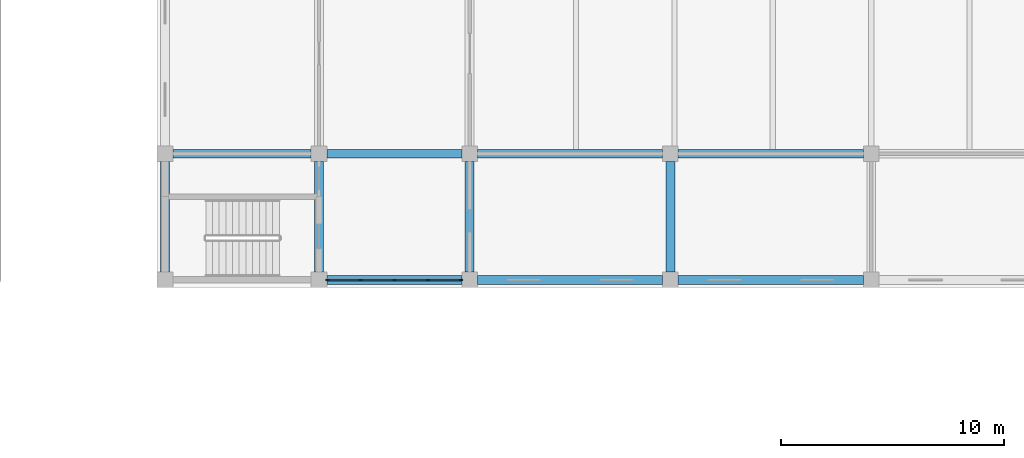
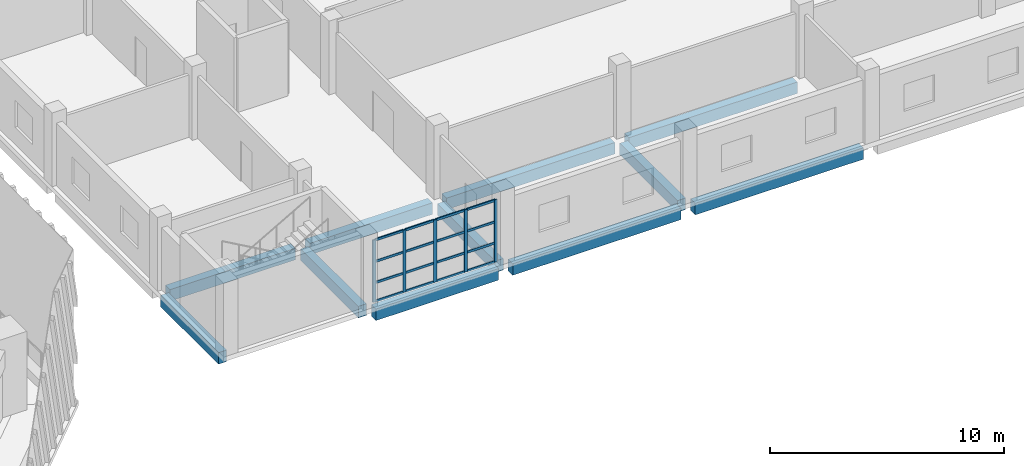
# One storey, part 2 of 31: 21 members, 11 beams, 1 element without a shape of its own.
"""IFC4 building model written with IfcOpenShell, lengths in metres."""

import ifcopenshell
import ifcopenshell.guid

model = None  # the IFC model being written
_history = None  # IfcOwnerHistory: only IFC2X3 demands one
_inside = {}  # id of a spatial element -> (the spatial element, [elements in it])
_under = {}  # id of a project, library or spatial element -> (it, [spatial elements below it])
_declared = {}  # id of a project -> (the project, [libraries it declares])
_typed = {}  # id of a type object -> (the type object, [elements of that type])
_made_of = {}  # id of a material, layer set ... -> (it, [elements and type objects made of it])


def new_model(schema):
    """Start an empty IFC model of exactly this schema.

    Asked for "IFC4X3", IfcOpenShell would pick the latest addendum, in which some entities
    have other attributes; the version numbers below select the first issue.
    IFC2X3 requires an IfcOwnerHistory on every rooted entity: one is made here for all.
    """
    global model, _history
    if schema == "IFC4X3":
        model = ifcopenshell.file(schema_version=(4, 3, 0, 0))
    else:
        model = ifcopenshell.file(schema=schema)
    _inside.clear()
    _under.clear()
    _declared.clear()
    _typed.clear()
    _made_of.clear()
    _history = None
    if model.schema == "IFC2X3":
        org = make("IfcOrganization", Name="unknown")
        user = make(
            "IfcPersonAndOrganization",
            ThePerson=make("IfcPerson", FamilyName="unknown"),
            TheOrganization=org,
        )
        app = make(
            "IfcApplication",
            ApplicationDeveloper=org,
            Version="unknown",
            ApplicationFullName="unknown",
            ApplicationIdentifier="unknown",
        )
        _history = make(
            "IfcOwnerHistory",
            OwningUser=user,
            OwningApplication=app,
            ChangeAction="ADDED",
            CreationDate=0,
        )
    return model


def make(cls, **values):
    """One entity of the class cls with the attributes given. An attribute that is None is left unset."""
    return model.create_entity(
        cls, **{name: value for name, value in values.items() if value is not None}
    )


def rooted(cls, **values):
    """An entity with a GlobalId (a new one), such as an element, a storey or a relation."""
    return make(cls, GlobalId=ifcopenshell.guid.new(), OwnerHistory=_history, **values)


def si_unit(unit_type, name, prefix=None):
    """IfcSIUnit, for example si_unit("LENGTHUNIT", "METRE", prefix="MILLI")."""
    return make("IfcSIUnit", UnitType=unit_type, Prefix=prefix, Name=name)


def assignment(units):
    """IfcUnitAssignment: the units of a project."""
    return None if units is None else make("IfcUnitAssignment", Units=units)


def point(xyz):
    """IfcCartesianPoint."""
    return None if xyz is None else make("IfcCartesianPoint", Coordinates=xyz)


def direction(xyz):
    """IfcDirection."""
    return None if xyz is None else make("IfcDirection", DirectionRatios=xyz)


def frame(location, z_axis=None, x_axis=None):
    """IfcAxis2Placement3D, a coordinate frame: its origin and axes. An axis left out is left unset."""
    return make(
        "IfcAxis2Placement3D",
        Location=point(location),
        Axis=direction(z_axis),
        RefDirection=direction(x_axis),
    )


def frame_2d(location, x_axis=None):
    """IfcAxis2Placement2D, a coordinate frame in the plane: its origin and x axis."""
    return make(
        "IfcAxis2Placement2D", Location=point(location), RefDirection=direction(x_axis)
    )


def origin():
    """The frame at (0, 0, 0) with its axes left unset."""
    return frame((0.0, 0.0, 0.0))


def origin_2d():
    """The frame at (0, 0) in the plane with its x axis left unset."""
    return frame_2d((0.0, 0.0))


def place(relative_to, where):
    """IfcLocalPlacement: puts the frame where relative to a parent placement (None: the world)."""
    return make(
        "IfcLocalPlacement", PlacementRelTo=relative_to, RelativePlacement=where
    )


def context(
    kind, dimensions, precision=None, world=None, true_north=None, identifier=None
):
    """IfcGeometricRepresentationContext, for example the 3D "Model" context."""
    return make(
        "IfcGeometricRepresentationContext",
        ContextIdentifier=identifier,
        ContextType=kind,
        CoordinateSpaceDimension=dimensions,
        Precision=precision,
        WorldCoordinateSystem=world,
        TrueNorth=true_north,
    )


def subcontext(parent, identifier, kind, view, scale=None):
    """IfcGeometricRepresentationSubContext, for example "Body" below "Model"."""
    return make(
        "IfcGeometricRepresentationSubContext",
        ContextIdentifier=identifier,
        ContextType=kind,
        ParentContext=parent,
        TargetScale=scale,
        TargetView=view,
    )


def project(units=None, contexts=None):
    """IfcProject with its units and contexts."""
    return rooted(
        "IfcProject",
        Name="project",
        RepresentationContexts=contexts,
        UnitsInContext=assignment(units),
    )


def spatial(cls, under=None, at=None, **own):
    """A site, building, storey or space (cls), placed at a placement, below another one or the project."""
    s = rooted(cls, ObjectPlacement=at, **own)
    if under is not None:
        _under.setdefault(under.id(), (under, []))[1].append(s)
    return s


def profile(cls, at=None, kind="AREA", **sizes):
    """A parametric profile (cls). Its sizes go by their IFC names, for example OverallWidth=200.0."""
    return make(cls, ProfileType=kind, Position=at, **sizes)


def rectangle(**sizes):
    """IfcRectangleProfileDef."""
    return profile("IfcRectangleProfileDef", **sizes)


def extrude(swept, where, along, depth):
    """IfcExtrudedAreaSolid: the profile swept, set in the frame where, extruded along a direction by depth."""
    return make(
        "IfcExtrudedAreaSolid",
        SweptArea=swept,
        Position=where,
        ExtrudedDirection=direction(along),
        Depth=depth,
    )


def shape(context_of_items, identifier, shape_type, items):
    """IfcShapeRepresentation: the items that make up one representation, for example the "Body"."""
    return make(
        "IfcShapeRepresentation",
        ContextOfItems=context_of_items,
        RepresentationIdentifier=identifier,
        RepresentationType=shape_type,
        Items=items,
    )


def material(Name=None, Category=None):
    """IfcMaterial."""
    return make("IfcMaterial", Name=Name, Category=Category)


def layer(
    of_material, thickness, ventilated=None, Name=None, Category=None, Priority=None
):
    """IfcMaterialLayer: one layer of a wall or slab, of a material (None: an air gap)."""
    return make(
        "IfcMaterialLayer",
        Material=of_material,
        LayerThickness=thickness,
        IsVentilated=ventilated,
        Name=Name,
        Category=Category,
        Priority=Priority,
    )


def layer_set(layers, Name=None):
    """IfcMaterialLayerSet."""
    return make("IfcMaterialLayerSet", MaterialLayers=layers, LayerSetName=Name)


def material_profile(
    of_material, cross_section, Name=None, Category=None, Priority=None
):
    """IfcMaterialProfile: a cross section and its material."""
    return make(
        "IfcMaterialProfile",
        Name=Name,
        Material=of_material,
        Profile=cross_section,
        Priority=Priority,
        Category=Category,
    )


def profile_set(profiles, Name=None, composite=None):
    """IfcMaterialProfileSet."""
    return make(
        "IfcMaterialProfileSet",
        Name=Name,
        MaterialProfiles=profiles,
        CompositeProfile=composite,
    )


def made_of(thing, what):
    """Note that an element or type object is made of a material, layer set ...; save() writes the relation."""
    if what is not None:
        _made_of.setdefault(what.id(), (what, []))[1].append(thing)
    return thing


def type_object(cls, material=None, **own):
    """A type object (cls), such as IfcWallType, which elements share."""
    return made_of(rooted(cls, **own), material)


def element(
    cls,
    number,
    at=None,
    inside=None,
    cuts=None,
    type_object=None,
    material=None,
    context=None,
    identifier="Body",
    shape_type=None,
    held_by="IfcProductDefinitionShape",
    body=None,
    shapes=None,
    **own,
):
    """One element of the class cls, such as IfcWall. Its Tag is "e" and its number.

    at: its placement. inside: the storey or other place that contains it. cuts: it is an
    opening in that element (IfcRelVoidsElement). A single representation is given by context,
    identifier, shape_type and body (its items); several are given by shapes. held_by: the class
    of the entity that holds the representations. save() writes the other relations.
    """
    e = rooted(cls, Tag="e%d" % number, ObjectPlacement=at, **own)
    if body is not None:
        shapes = [shape(context, identifier, shape_type, body)]
    if shapes is not None:
        e.Representation = make(held_by, Representations=shapes)
    if inside is not None:
        _inside.setdefault(inside.id(), (inside, []))[1].append(e)
    if cuts is not None:
        rooted(
            "IfcRelVoidsElement", RelatingBuildingElement=cuts, RelatedOpeningElement=e
        )
    if type_object is not None:
        _typed.setdefault(type_object.id(), (type_object, []))[1].append(e)
    return made_of(e, material)


def aggregate(whole, parts):
    """IfcRelAggregates: a whole, such as a stair, and the parts it consists of."""
    return rooted("IfcRelAggregates", RelatingObject=whole, RelatedObjects=parts)


def save(model, path):
    """Write the relations noted so far, then the file.

    IfcRelAggregates (storeys below a building ...), IfcRelContainedInSpatialStructure (elements
    in a storey), IfcRelDefinesByType, IfcRelAssociatesMaterial and IfcRelDeclares: one each for
    every whole, place, type object, material and project.
    """
    for whole, parts in _under.values():
        aggregate(whole, parts)
    for where, things in _inside.values():
        rooted(
            "IfcRelContainedInSpatialStructure",
            RelatedElements=things,
            RelatingStructure=where,
        )
    for kind, things in _typed.values():
        rooted("IfcRelDefinesByType", RelatedObjects=things, RelatingType=kind)
    for what, things in _made_of.values():
        rooted("IfcRelAssociatesMaterial", RelatedObjects=things, RelatingMaterial=what)
    for by, libraries in _declared.values():
        rooted("IfcRelDeclares", RelatingContext=by, RelatedDefinitions=libraries)
    model.write(path)


model = new_model("IFC4")

# Units and contexts
model_context = context("Model", 3, precision=1e-05, world=origin(), true_north=direction((0.0, 1.0)))
body_context = subcontext(model_context, "Body", "Model", "MODEL_VIEW")
ifc_project = project(units=[si_unit("LENGTHUNIT", "METRE"), si_unit("AREAUNIT", "SQUARE_METRE"), si_unit("VOLUMEUNIT", "CUBIC_METRE"), si_unit("PLANEANGLEUNIT", "RADIAN"), si_unit("MASSUNIT", "GRAM", prefix="KILO")], contexts=[model_context])

# Site, building, storey
site_placement = place(None, origin())
site = spatial("IfcSite", under=ifc_project, at=site_placement, CompositionType="ELEMENT")
building_placement = place(site_placement, origin())
building = spatial("IfcBuilding", under=site, at=building_placement, Name="Corbel Stack Research Tower", CompositionType="ELEMENT")
storey_placement = place(building_placement, frame((0.0, 0.0, 15.39990234375)))
storey = spatial("IfcBuildingStorey", under=building, at=storey_placement, Name="L03", CompositionType="ELEMENT", Elevation=15.39990234375)

# Curtain wall, members
ifc_material_1 = material(Name="Aluminium", Category="aluminium")
ifc_layer = layer(ifc_material_1, 0.14990234375)
ifc_layer_set = layer_set([ifc_layer], Name="Aluminium")
curtain_wall_type = type_object("IfcCurtainWallType", Name="CW5 main facade curtain wall", PredefinedType="NOTDEFINED", material=ifc_layer_set)
curtain_wall_placement = place(storey_placement, origin())
curtain_wall = element("IfcCurtainWall", 1, at=curtain_wall_placement, inside=storey, type_object=curtain_wall_type, Name="Main facade curtain wall L03 1", PredefinedType="NOTDEFINED")
ifc_material_2 = material(Name="Aluminium", Category="aluminium")
ifc_material_profile_1 = material_profile(ifc_material_2, rectangle(XDim=0.06005859375, YDim=0.159912109375, at=origin_2d()), Name="Mullion 60 x 160")
ifc_profile_set_1 = profile_set([ifc_material_profile_1], Name="Aluminium")
member_type_1 = type_object("IfcMemberType", Name="CW5 mullion 60 x 160", PredefinedType="MULLION", material=ifc_profile_set_1)
member_1_placement = place(storey_placement, frame((44.580078125, -23.64990234375, 0.0), z_axis=(0.0, 0.0, 1.0), x_axis=(0.0, 1.0, 0.0)))
member_1 = element("IfcMember", 2, at=member_1_placement, type_object=member_type_1, Name="CW5 mullion 1", PredefinedType="MULLION", context=body_context, shape_type="SweptSolid", body=[
    extrude(rectangle(XDim=0.06005859375, YDim=0.159912109375, at=origin_2d()), origin(), (0.0, 0.0, 1.0), 3.25),
])
member_2_placement = place(storey_placement, frame((46.0625, -23.64990234375, 0.0), z_axis=(0.0, 0.0, 1.0), x_axis=(0.0, 1.0, 0.0)))
member_2 = element("IfcMember", 3, at=member_2_placement, type_object=member_type_1, Name="CW5 mullion 2", PredefinedType="MULLION", context=body_context, shape_type="SweptSolid", body=[
    extrude(rectangle(XDim=0.06005859375, YDim=0.159912109375, at=origin_2d()), origin(), (0.0, 0.0, 1.0), 3.25),
])
member_3_placement = place(storey_placement, frame((47.574951171875, -23.64990234375, 0.0), z_axis=(0.0, 0.0, 1.0), x_axis=(0.0, 1.0, 0.0)))
member_3 = element("IfcMember", 4, at=member_3_placement, type_object=member_type_1, Name="CW5 mullion 3", PredefinedType="MULLION", context=body_context, shape_type="SweptSolid", body=[
    extrude(rectangle(XDim=0.06005859375, YDim=0.159912109375, at=origin_2d()), origin(), (0.0, 0.0, 1.0), 3.25),
])
member_4_placement = place(storey_placement, frame((49.08740234375, -23.64990234375, 0.0), z_axis=(0.0, 0.0, 1.0), x_axis=(0.0, 1.0, 0.0)))
member_4 = element("IfcMember", 5, at=member_4_placement, type_object=member_type_1, Name="CW5 mullion 4", PredefinedType="MULLION", context=body_context, shape_type="SweptSolid", body=[
    extrude(rectangle(XDim=0.06005859375, YDim=0.159912109375, at=origin_2d()), origin(), (0.0, 0.0, 1.0), 3.25),
])
member_5_placement = place(storey_placement, frame((50.570068359375, -23.64990234375, 0.0), z_axis=(0.0, 0.0, 1.0), x_axis=(0.0, 1.0, 0.0)))
member_5 = element("IfcMember", 6, at=member_5_placement, type_object=member_type_1, Name="CW5 mullion 5", PredefinedType="MULLION", context=body_context, shape_type="SweptSolid", body=[
    extrude(rectangle(XDim=0.06005859375, YDim=0.159912109375, at=origin_2d()), origin(), (0.0, 0.0, 1.0), 3.25),
])
ifc_material_3 = material(Name="Aluminium", Category="aluminium")
ifc_material_profile_2 = material_profile(ifc_material_3, rectangle(XDim=0.06005859375, YDim=0.1201171875, at=origin_2d()), Name="Transom 60 x 120")
ifc_profile_set_2 = profile_set([ifc_material_profile_2], Name="Aluminium")
member_type_2 = type_object("IfcMemberType", Name="CW5 transom 60 x 120", PredefinedType="USERDEFINED", material=ifc_profile_set_2)
member_6_placement = place(storey_placement, frame((44.610107421875, -23.64990234375, 0.030029296875), z_axis=(1.0, 0.0, 0.0), x_axis=(0.0, 1.0, 0.0)))
member_6 = element("IfcMember", 7, at=member_6_placement, type_object=member_type_2, Name="CW5 transom 1.1", ObjectType="TRANSOM", PredefinedType="USERDEFINED", context=body_context, shape_type="SweptSolid", body=[
    extrude(rectangle(XDim=0.06005859375, YDim=0.1201171875, at=origin_2d()), origin(), (0.0, 0.0, 1.0), 1.42236328125),
])
member_7_placement = place(storey_placement, frame((44.610107421875, -23.64990234375, 1.0), z_axis=(1.0, 0.0, 0.0), x_axis=(0.0, 1.0, 0.0)))
member_7 = element("IfcMember", 8, at=member_7_placement, type_object=member_type_2, Name="CW5 transom 1.2", ObjectType="TRANSOM", PredefinedType="USERDEFINED", context=body_context, shape_type="SweptSolid", body=[
    extrude(rectangle(XDim=0.06005859375, YDim=0.1201171875, at=origin_2d()), origin(), (0.0, 0.0, 1.0), 1.42236328125),
])
member_8_placement = place(storey_placement, frame((44.610107421875, -23.64990234375, 2.10009765625), z_axis=(1.0, 0.0, 0.0), x_axis=(0.0, 1.0, 0.0)))
member_8 = element("IfcMember", 9, at=member_8_placement, type_object=member_type_2, Name="CW5 transom 1.3", ObjectType="TRANSOM", PredefinedType="USERDEFINED", context=body_context, shape_type="SweptSolid", body=[
    extrude(rectangle(XDim=0.06005859375, YDim=0.1201171875, at=origin_2d()), origin(), (0.0, 0.0, 1.0), 1.42236328125),
])
member_9_placement = place(storey_placement, frame((44.610107421875, -23.64990234375, 3.22021484375), z_axis=(1.0, 0.0, 0.0), x_axis=(0.0, 1.0, 0.0)))
member_9 = element("IfcMember", 10, at=member_9_placement, type_object=member_type_2, Name="CW5 transom 1.4", ObjectType="TRANSOM", PredefinedType="USERDEFINED", context=body_context, shape_type="SweptSolid", body=[
    extrude(rectangle(XDim=0.06005859375, YDim=0.1201171875, at=origin_2d()), origin(), (0.0, 0.0, 1.0), 1.42236328125),
])
member_10_placement = place(storey_placement, frame((46.092529296875, -23.64990234375, 0.030029296875), z_axis=(1.0, 0.0, 0.0), x_axis=(0.0, 1.0, 0.0)))
member_10 = element("IfcMember", 11, at=member_10_placement, type_object=member_type_2, Name="CW5 transom 2.1", ObjectType="TRANSOM", PredefinedType="USERDEFINED", context=body_context, shape_type="SweptSolid", body=[
    extrude(rectangle(XDim=0.06005859375, YDim=0.1201171875, at=origin_2d()), origin(), (0.0, 0.0, 1.0), 1.452392578125),
])
member_11_placement = place(storey_placement, frame((46.092529296875, -23.64990234375, 1.0), z_axis=(1.0, 0.0, 0.0), x_axis=(0.0, 1.0, 0.0)))
member_11 = element("IfcMember", 12, at=member_11_placement, type_object=member_type_2, Name="CW5 transom 2.2", ObjectType="TRANSOM", PredefinedType="USERDEFINED", context=body_context, shape_type="SweptSolid", body=[
    extrude(rectangle(XDim=0.06005859375, YDim=0.1201171875, at=origin_2d()), origin(), (0.0, 0.0, 1.0), 1.452392578125),
])
member_12_placement = place(storey_placement, frame((46.092529296875, -23.64990234375, 2.10009765625), z_axis=(1.0, 0.0, 0.0), x_axis=(0.0, 1.0, 0.0)))
member_12 = element("IfcMember", 13, at=member_12_placement, type_object=member_type_2, Name="CW5 transom 2.3", ObjectType="TRANSOM", PredefinedType="USERDEFINED", context=body_context, shape_type="SweptSolid", body=[
    extrude(rectangle(XDim=0.06005859375, YDim=0.1201171875, at=origin_2d()), origin(), (0.0, 0.0, 1.0), 1.452392578125),
])
member_13_placement = place(storey_placement, frame((46.092529296875, -23.64990234375, 3.22021484375), z_axis=(1.0, 0.0, 0.0), x_axis=(0.0, 1.0, 0.0)))
member_13 = element("IfcMember", 14, at=member_13_placement, type_object=member_type_2, Name="CW5 transom 2.4", ObjectType="TRANSOM", PredefinedType="USERDEFINED", context=body_context, shape_type="SweptSolid", body=[
    extrude(rectangle(XDim=0.06005859375, YDim=0.1201171875, at=origin_2d()), origin(), (0.0, 0.0, 1.0), 1.452392578125),
])
member_14_placement = place(storey_placement, frame((47.60498046875, -23.64990234375, 0.030029296875), z_axis=(1.0, 0.0, 0.0), x_axis=(0.0, 1.0, 0.0)))
member_14 = element("IfcMember", 15, at=member_14_placement, type_object=member_type_2, Name="CW5 transom 3.1", ObjectType="TRANSOM", PredefinedType="USERDEFINED", context=body_context, shape_type="SweptSolid", body=[
    extrude(rectangle(XDim=0.06005859375, YDim=0.1201171875, at=origin_2d()), origin(), (0.0, 0.0, 1.0), 1.45263671875),
])
member_15_placement = place(storey_placement, frame((47.60498046875, -23.64990234375, 1.0), z_axis=(1.0, 0.0, 0.0), x_axis=(0.0, 1.0, 0.0)))
member_15 = element("IfcMember", 16, at=member_15_placement, type_object=member_type_2, Name="CW5 transom 3.2", ObjectType="TRANSOM", PredefinedType="USERDEFINED", context=body_context, shape_type="SweptSolid", body=[
    extrude(rectangle(XDim=0.06005859375, YDim=0.1201171875, at=origin_2d()), origin(), (0.0, 0.0, 1.0), 1.45263671875),
])
member_16_placement = place(storey_placement, frame((47.60498046875, -23.64990234375, 2.10009765625), z_axis=(1.0, 0.0, 0.0), x_axis=(0.0, 1.0, 0.0)))
member_16 = element("IfcMember", 17, at=member_16_placement, type_object=member_type_2, Name="CW5 transom 3.3", ObjectType="TRANSOM", PredefinedType="USERDEFINED", context=body_context, shape_type="SweptSolid", body=[
    extrude(rectangle(XDim=0.06005859375, YDim=0.1201171875, at=origin_2d()), origin(), (0.0, 0.0, 1.0), 1.45263671875),
])
member_17_placement = place(storey_placement, frame((47.60498046875, -23.64990234375, 3.22021484375), z_axis=(1.0, 0.0, 0.0), x_axis=(0.0, 1.0, 0.0)))
member_17 = element("IfcMember", 18, at=member_17_placement, type_object=member_type_2, Name="CW5 transom 3.4", ObjectType="TRANSOM", PredefinedType="USERDEFINED", context=body_context, shape_type="SweptSolid", body=[
    extrude(rectangle(XDim=0.06005859375, YDim=0.1201171875, at=origin_2d()), origin(), (0.0, 0.0, 1.0), 1.45263671875),
])
member_18_placement = place(storey_placement, frame((49.117431640625, -23.64990234375, 0.030029296875), z_axis=(1.0, 0.0, 0.0), x_axis=(0.0, 1.0, 0.0)))
member_18 = element("IfcMember", 19, at=member_18_placement, type_object=member_type_2, Name="CW5 transom 4.1", ObjectType="TRANSOM", PredefinedType="USERDEFINED", context=body_context, shape_type="SweptSolid", body=[
    extrude(rectangle(XDim=0.06005859375, YDim=0.1201171875, at=origin_2d()), origin(), (0.0, 0.0, 1.0), 1.422607421875),
])
member_19_placement = place(storey_placement, frame((49.117431640625, -23.64990234375, 1.0), z_axis=(1.0, 0.0, 0.0), x_axis=(0.0, 1.0, 0.0)))
member_19 = element("IfcMember", 20, at=member_19_placement, type_object=member_type_2, Name="CW5 transom 4.2", ObjectType="TRANSOM", PredefinedType="USERDEFINED", context=body_context, shape_type="SweptSolid", body=[
    extrude(rectangle(XDim=0.06005859375, YDim=0.1201171875, at=origin_2d()), origin(), (0.0, 0.0, 1.0), 1.422607421875),
])
member_20_placement = place(storey_placement, frame((49.117431640625, -23.64990234375, 2.10009765625), z_axis=(1.0, 0.0, 0.0), x_axis=(0.0, 1.0, 0.0)))
member_20 = element("IfcMember", 21, at=member_20_placement, type_object=member_type_2, Name="CW5 transom 4.3", ObjectType="TRANSOM", PredefinedType="USERDEFINED", context=body_context, shape_type="SweptSolid", body=[
    extrude(rectangle(XDim=0.06005859375, YDim=0.1201171875, at=origin_2d()), origin(), (0.0, 0.0, 1.0), 1.422607421875),
])
member_21_placement = place(storey_placement, frame((49.117431640625, -23.64990234375, 3.22021484375), z_axis=(1.0, 0.0, 0.0), x_axis=(0.0, 1.0, 0.0)))
member_21 = element("IfcMember", 22, at=member_21_placement, type_object=member_type_2, Name="CW5 transom 4.4", ObjectType="TRANSOM", PredefinedType="USERDEFINED", context=body_context, shape_type="SweptSolid", body=[
    extrude(rectangle(XDim=0.06005859375, YDim=0.1201171875, at=origin_2d()), origin(), (0.0, 0.0, 1.0), 1.422607421875),
])
aggregate(curtain_wall, [member_1, member_2, member_3, member_4, member_5, member_6, member_7, member_8, member_9, member_10, member_11, member_12, member_13, member_14, member_15, member_16, member_17, member_18, member_19, member_20, member_21])

# Beams
ifc_material_4 = material(Name="Concrete C40/50", Category="concrete")
ifc_material_profile_3 = material_profile(ifc_material_4, rectangle(XDim=0.39990234375, YDim=0.60009765625, at=origin_2d()), Name="RC 400 x 600")
ifc_profile_set_3 = profile_set([ifc_material_profile_3], Name="Concrete C40/50")
beam_type = type_object("IfcBeamType", Name="HB1 RC beam 400 x 600", PredefinedType="BEAM", material=ifc_profile_set_3)
beam_1_placement = place(storey_placement, frame((37.300048828125, -23.300048828125, -0.5498046875), z_axis=(0.0, 1.0, 0.0), x_axis=(-1.0, 0.0, 0.0)))
element("IfcBeam", 23, at=beam_1_placement, inside=storey, type_object=beam_type, Name="Floor beam L03 H1HA-H1HB", PredefinedType="BEAM", context=body_context, shape_type="SweptSolid", body=[
    extrude(rectangle(XDim=0.39990234375, YDim=0.60009765625, at=origin_2d()), origin(), (0.0, 0.0, 1.0), 4.949951171875),
])
beam_2_placement = place(storey_placement, frame((37.64990234375, -18.0, -0.5498046875), z_axis=(1.0, 0.0, 0.0), x_axis=(0.0, 1.0, 0.0)))
element("IfcBeam", 24, at=beam_2_placement, inside=storey, type_object=beam_type, Name="Floor beam L03 H1HB-H2HB", PredefinedType="BEAM", context=body_context, shape_type="SweptSolid", body=[
    extrude(rectangle(XDim=0.39990234375, YDim=0.60009765625, at=origin_2d()), origin(), (0.0, 0.0, 1.0), 6.2001953125),
])
beam_3_placement = place(storey_placement, frame((44.550048828125, -23.64990234375, -0.5498046875), z_axis=(1.0, 0.0, 0.0), x_axis=(0.0, 1.0, 0.0)))
element("IfcBeam", 25, at=beam_3_placement, inside=storey, type_object=beam_type, Name="Floor beam L03 H2HA-H3HA", PredefinedType="BEAM", context=body_context, shape_type="SweptSolid", body=[
    extrude(rectangle(XDim=0.39990234375, YDim=0.60009765625, at=origin_2d()), origin(), (0.0, 0.0, 1.0), 6.050048828125),
])
beam_4_placement = place(storey_placement, frame((44.199951171875, -23.300048828125, -0.5498046875), z_axis=(0.0, 1.0, 0.0), x_axis=(-1.0, 0.0, 0.0)))
element("IfcBeam", 26, at=beam_4_placement, inside=storey, type_object=beam_type, Name="Floor beam L03 H2HA-H2HB", PredefinedType="BEAM", context=body_context, shape_type="SweptSolid", body=[
    extrude(rectangle(XDim=0.39990234375, YDim=0.60009765625, at=origin_2d()), origin(), (0.0, 0.0, 1.0), 4.949951171875),
])
beam_5_placement = place(storey_placement, frame((44.550048828125, -18.0, -0.5498046875), z_axis=(1.0, 0.0, 0.0), x_axis=(0.0, 1.0, 0.0)))
element("IfcBeam", 27, at=beam_5_placement, inside=storey, type_object=beam_type, Name="Floor beam L03 H2HB-H3HB", PredefinedType="BEAM", context=body_context, shape_type="SweptSolid", body=[
    extrude(rectangle(XDim=0.39990234375, YDim=0.60009765625, at=origin_2d()), origin(), (0.0, 0.0, 1.0), 6.050048828125),
])
beam_6_placement = place(storey_placement, frame((51.300048828125, -23.64990234375, -0.5498046875), z_axis=(1.0, 0.0, 0.0), x_axis=(0.0, 1.0, 0.0)))
element("IfcBeam", 28, at=beam_6_placement, inside=storey, type_object=beam_type, Name="Floor beam L03 H3HA-H4HA", PredefinedType="BEAM", context=body_context, shape_type="SweptSolid", body=[
    extrude(rectangle(XDim=0.39990234375, YDim=0.60009765625, at=origin_2d()), origin(), (0.0, 0.0, 1.0), 8.300048828125),
])
beam_7_placement = place(storey_placement, frame((50.949951171875, -23.300048828125, -0.5498046875), z_axis=(0.0, 1.0, 0.0), x_axis=(-1.0, 0.0, 0.0)))
element("IfcBeam", 29, at=beam_7_placement, inside=storey, type_object=beam_type, Name="Floor beam L03 H3HA-H3HB", PredefinedType="BEAM", context=body_context, shape_type="SweptSolid", body=[
    extrude(rectangle(XDim=0.39990234375, YDim=0.60009765625, at=origin_2d()), origin(), (0.0, 0.0, 1.0), 4.949951171875),
])
for number, where, z_axis, x_axis, name in (
    (30, (51.300048828125, -18.0, -0.5498046875), (1.0, 0.0, 0.0), (0.0, 1.0, 0.0), "Floor beam L03 H3HB-H4HB"),
    (31, (60.300048828125, -23.64990234375, -0.5498046875), (1.0, 0.0, 0.0), (0.0, 1.0, 0.0), "Floor beam L03 H4HA-H5HA"),
):
    element("IfcBeam", number, at=place(storey_placement, frame(where, z_axis=z_axis, x_axis=x_axis)), inside=storey, type_object=beam_type, Name=name, PredefinedType="BEAM", context=body_context, shape_type="SweptSolid", body=[
        extrude(rectangle(XDim=0.39990234375, YDim=0.60009765625, at=origin_2d()), origin(), (0.0, 0.0, 1.0), 8.300048828125),
    ])
beam_8_placement = place(storey_placement, frame((59.949951171875, -23.300048828125, -0.5498046875), z_axis=(0.0, 1.0, 0.0), x_axis=(-1.0, 0.0, 0.0)))
element("IfcBeam", 32, at=beam_8_placement, inside=storey, type_object=beam_type, Name="Floor beam L03 H4HA-H4HB", PredefinedType="BEAM", context=body_context, shape_type="SweptSolid", body=[
    extrude(rectangle(XDim=0.39990234375, YDim=0.60009765625, at=origin_2d()), origin(), (0.0, 0.0, 1.0), 4.949951171875),
])
beam_9_placement = place(storey_placement, frame((60.300048828125, -18.0, -0.5498046875), z_axis=(1.0, 0.0, 0.0), x_axis=(0.0, 1.0, 0.0)))
element("IfcBeam", 33, at=beam_9_placement, inside=storey, type_object=beam_type, Name="Floor beam L03 H4HB-H5HB", PredefinedType="BEAM", context=body_context, shape_type="SweptSolid", body=[
    extrude(rectangle(XDim=0.39990234375, YDim=0.60009765625, at=origin_2d()), origin(), (0.0, 0.0, 1.0), 8.300048828125),
])

save(model, "model.ifc")
